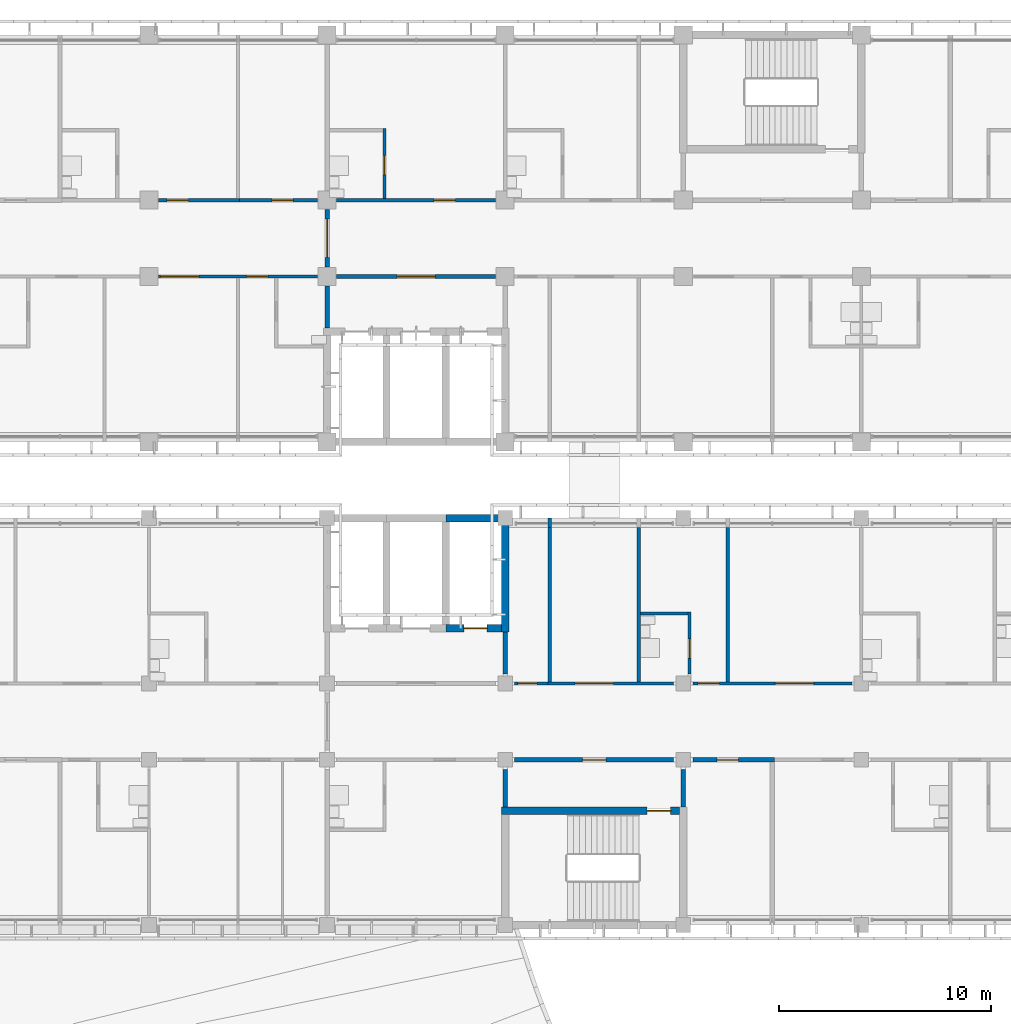
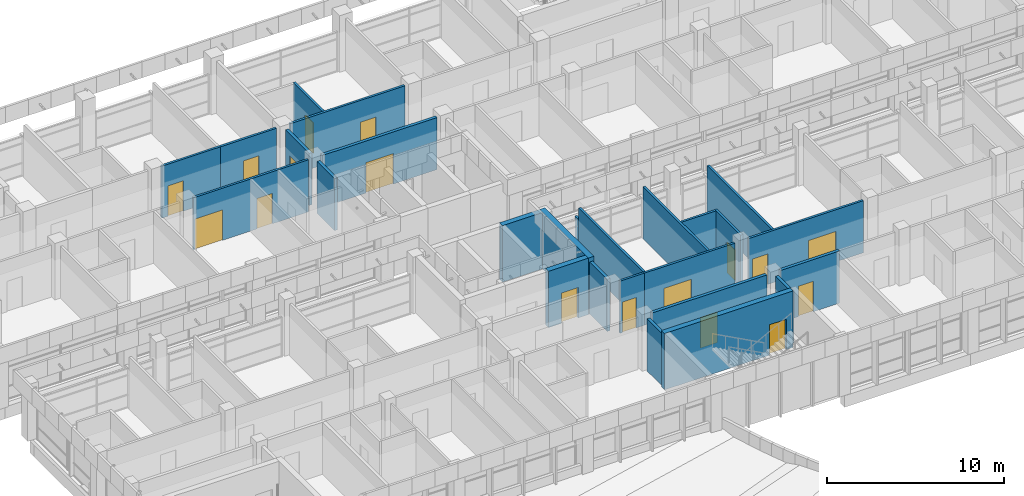
# One storey, part 32 of 74: 26 walls, 17 doors, 17 openings.
"""IFC4 building model written with IfcOpenShell, lengths in metres."""

from ifc_helpers import new_model, si_unit, direction, frame, frame_2d, origin, place, context, subcontext, project, spatial, rectangle, extrude, material, layer, layer_set, type_object, element, fill, save


model = new_model("IFC4")

# Units and contexts
model_context = context("Model", 3, precision=1e-05, world=origin(), true_north=direction((0.0, 1.0)))
body_context = subcontext(model_context, "Body", "Model", "MODEL_VIEW")
ifc_project = project(units=[si_unit("LENGTHUNIT", "METRE"), si_unit("AREAUNIT", "SQUARE_METRE"), si_unit("VOLUMEUNIT", "CUBIC_METRE"), si_unit("PLANEANGLEUNIT", "RADIAN"), si_unit("MASSUNIT", "GRAM", prefix="KILO")], contexts=[model_context])

# Site, building, storey
site_placement = place(None, origin())
site = spatial("IfcSite", under=ifc_project, at=site_placement, CompositionType="ELEMENT")
building_placement = place(site_placement, origin())
building = spatial("IfcBuilding", under=site, at=building_placement, Name="Bougainvillea Quay General Hospital", CompositionType="ELEMENT")
storey_placement = place(building_placement, frame((0.0, 0.0, 21.0)))
storey = spatial("IfcBuildingStorey", under=building, at=storey_placement, Name="L04", CompositionType="ELEMENT", Elevation=21.0)

# Wall
ifc_material_1 = material(Name="Gypsum board partition on steel studs, insulated", Category="steel")
ifc_layer_1 = layer(ifc_material_1, 0.14990234375)
ifc_layer_set_1 = layer_set([ifc_layer_1], Name="Gypsum board partition on steel studs, insulated")
wall_type_1 = type_object("IfcWallType", Name="Partition 150 Gypsum board partition", PredefinedType="PARTITIONING", material=ifc_layer_set_1)
wall_1_placement = place(storey_placement, frame((86.10009765625, 129.074951171875, 0.0), z_axis=(0.0, 0.0, 1.0), x_axis=(0.0, 1.0, 0.0)))
element("IfcWall", 1, at=wall_1_placement, inside=storey, type_object=wall_type_1, Name="Partition 150 mm", PredefinedType="PARTITIONING", context=body_context, shape_type="SweptSolid", body=[
    extrude(rectangle(XDim=7.275146484375, YDim=0.14990234375, at=frame_2d((3.6376953125, 0.0))), origin(), (0.0, 0.0, 1.0), 3.60009765625),
])

# Wall, opening, door
wall_2_placement = place(storey_placement, frame((84.300048828125, 129.449951171875, 0.0), z_axis=(0.0, 0.0, 1.0), x_axis=(0.0, 1.0, 0.0)))
wall_2 = element("IfcWall", 2, at=wall_2_placement, inside=storey, type_object=wall_type_1, Name="Partition 150 mm", PredefinedType="PARTITIONING", context=body_context, shape_type="SweptSolid", body=[
    extrude(rectangle(XDim=2.925048828125, YDim=0.14990234375, at=frame_2d((1.46240234375, 0.0))), origin(), (0.0, 0.0, 1.0), 3.60009765625),
])
opening_1_placement = place(wall_2_placement, frame((0.75, 0.0, 0.0)))
opening_1 = element("IfcOpeningElement", 3, at=opening_1_placement, cuts=wall_2, Name="Opening L04.094", PredefinedType="OPENING", context=body_context, shape_type="SweptSolid", body=[
    extrude(rectangle(XDim=0.89990234375, YDim=2.10009765625, at=frame_2d((0.449951171875, 1.050048828125))), frame((0.0, 0.0849609375, 0.0), z_axis=(0.0, -1.0, 0.0), x_axis=(1.0, 0.0, 0.0)), (0.0, 0.0, 1.0), 0.169921875),
])
ifc_material_2 = material(Name="Solid-core timber door leaf in steel frame", Category="steel")
door_type_1 = type_object("IfcDoorType", Name="Single leaf door 900x2100", OperationType="NOTDEFINED", PredefinedType="DOOR", material=ifc_material_2)
door_1_placement = place(opening_1_placement, origin())
door_1 = element("IfcDoor", 4, at=door_1_placement, inside=storey, type_object=door_type_1, Name="DT07 L04.094", OperationType="SINGLE_SWING_LEFT", OverallHeight=2.10009765625, OverallWidth=0.89990234375, PredefinedType="DOOR", context=body_context, shape_type="SweptSolid", body=[
    extrude(rectangle(XDim=0.89990234375, YDim=2.10009765625, at=frame_2d((0.449951171875, 1.050048828125))), frame((0.0, 0.02490234375, 0.0), z_axis=(0.0, -1.0, 0.0), x_axis=(1.0, 0.0, 0.0)), (0.0, 0.0, 1.0), 0.050048828125),
])
fill(opening_1, door_1)

wall_3_placement = place(storey_placement, frame((69.89990234375, 151.875, 0.0), z_axis=(0.0, 0.0, 1.0), x_axis=(0.0, 1.0, 0.0)))
wall_3 = element("IfcWall", 5, at=wall_3_placement, inside=storey, type_object=wall_type_1, Name="Partition 150 mm", PredefinedType="PARTITIONING", context=body_context, shape_type="SweptSolid", body=[
    extrude(rectangle(XDim=3.300048828125, YDim=0.14990234375, at=frame_2d((1.64990234375, 0.0))), origin(), (0.0, 0.0, 1.0), 3.60009765625),
])
opening_2_placement = place(wall_3_placement, frame((1.125, 0.0, 0.0)))
opening_2 = element("IfcOpeningElement", 6, at=opening_2_placement, cuts=wall_3, Name="Opening L04.015", PredefinedType="OPENING", context=body_context, shape_type="SweptSolid", body=[
    extrude(rectangle(XDim=0.89990234375, YDim=2.10009765625, at=frame_2d((0.449951171875, 1.050048828125))), frame((0.0, 0.0849609375, 0.0), z_axis=(0.0, -1.0, 0.0), x_axis=(1.0, 0.0, 0.0)), (0.0, 0.0, 1.0), 0.169921875),
])
door_2_placement = place(opening_2_placement, origin())
door_2 = element("IfcDoor", 7, at=door_2_placement, inside=storey, type_object=door_type_1, Name="DT07 L04.015", OperationType="SINGLE_SWING_LEFT", OverallHeight=2.10009765625, OverallWidth=0.89990234375, PredefinedType="DOOR", context=body_context, shape_type="SweptSolid", body=[
    extrude(rectangle(XDim=0.89990234375, YDim=2.10009765625, at=frame_2d((0.449951171875, 1.050048828125))), frame((0.0, 0.02490234375, 0.0), z_axis=(0.0, -1.0, 0.0), x_axis=(1.0, 0.0, 0.0)), (0.0, 0.0, 1.0), 0.050048828125),
])
fill(opening_2, door_2)

# Wall
wall_4_placement = place(storey_placement, frame((81.97509765625, 132.300048828125, 0.0), z_axis=(0.0, 0.0, 1.0), x_axis=(1.0, 0.0, 0.0)))
element("IfcWall", 8, at=wall_4_placement, inside=storey, type_object=wall_type_1, Name="Partition 150 mm", PredefinedType="PARTITIONING", context=body_context, shape_type="SweptSolid", body=[
    extrude(rectangle(XDim=2.25, YDim=0.14990234375, at=frame_2d((1.125, 0.0))), origin(), (0.0, 0.0, 1.0), 3.60009765625),
])

# Wall, openings, doors
ifc_layer_2 = layer(ifc_material_1, 0.14990234375)
ifc_layer_set_2 = layer_set([ifc_layer_2], Name="Gypsum board partition on steel studs, insulated")
wall_type_2 = type_object("IfcWallType", Name="Partition 150 Gypsum board partition EI 30", PredefinedType="PARTITIONING", material=ifc_layer_set_2)
wall_5_placement = place(storey_placement, frame((66.75, 148.199951171875, 0.0), z_axis=(0.0, 0.0, 1.0), x_axis=(-1.0, 0.0, 0.0)))
wall_5 = element("IfcWall", 9, at=wall_5_placement, inside=storey, type_object=wall_type_2, Name="Partition 150 mm EI 30", PredefinedType="PARTITIONING", context=body_context, shape_type="SweptSolid", body=[
    extrude(rectangle(XDim=7.5, YDim=0.14990234375, at=frame_2d((3.75, 0.0))), origin(), (0.0, 0.0, 1.0), 3.60009765625),
])
opening_3_placement = place(wall_5_placement, frame((5.60009765625, 0.0, 0.0)))
opening_3 = element("IfcOpeningElement", 10, at=opening_3_placement, cuts=wall_5, Name="Opening L04.008", PredefinedType="OPENING", context=body_context, shape_type="SweptSolid", body=[
    extrude(rectangle(XDim=1.800048828125, YDim=2.10009765625, at=frame_2d((0.89990234375, 1.050048828125))), frame((0.0, 0.0849609375, 0.0), z_axis=(0.0, -1.0, 0.0), x_axis=(1.0, 0.0, 0.0)), (0.0, 0.0, 1.0), 0.169921875),
])
opening_4_placement = place(wall_5_placement, frame((2.35009765625, 0.0, 0.0)))
opening_4 = element("IfcOpeningElement", 11, at=opening_4_placement, cuts=wall_5, Name="Opening L04.009", PredefinedType="OPENING", context=body_context, shape_type="SweptSolid", body=[
    extrude(rectangle(XDim=1.0, YDim=2.10009765625, at=frame_2d((0.5, 1.050048828125))), frame((0.0, 0.0849609375, 0.0), z_axis=(0.0, -1.0, 0.0), x_axis=(1.0, 0.0, 0.0)), (0.0, 0.0, 1.0), 0.169921875),
])
ifc_material_3 = material(Name="Solid-core timber door leaves in steel frame", Category="steel")
door_type_2 = type_object("IfcDoorType", Name="Double leaf door 1800x2100 FD30S", OperationType="DOUBLE_DOOR_SINGLE_SWING", PredefinedType="DOOR", material=ifc_material_3)
door_3_placement = place(opening_3_placement, origin())
door_3 = element("IfcDoor", 12, at=door_3_placement, inside=storey, type_object=door_type_2, Name="DT17 L04.008", OperationType="DOUBLE_DOOR_SINGLE_SWING", OverallHeight=2.10009765625, OverallWidth=1.800048828125, PredefinedType="DOOR", context=body_context, shape_type="SweptSolid", body=[
    extrude(rectangle(XDim=1.800048828125, YDim=2.10009765625, at=frame_2d((0.89990234375, 1.050048828125))), frame((0.0, 0.02490234375, 0.0), z_axis=(0.0, -1.0, 0.0), x_axis=(1.0, 0.0, 0.0)), (0.0, 0.0, 1.0), 0.050048828125),
])
fill(opening_3, door_3)
door_type_3 = type_object("IfcDoorType", Name="Single leaf door 1000x2100 FD30S", OperationType="NOTDEFINED", PredefinedType="DOOR", material=ifc_material_2)
door_4_placement = place(opening_4_placement, origin())
door_4 = element("IfcDoor", 13, at=door_4_placement, inside=storey, type_object=door_type_3, Name="DT15 L04.009", OperationType="SINGLE_SWING_LEFT", OverallHeight=2.10009765625, OverallWidth=1.0, PredefinedType="DOOR", context=body_context, shape_type="SweptSolid", body=[
    extrude(rectangle(XDim=1.0, YDim=2.10009765625, at=frame_2d((0.5, 1.050048828125))), frame((0.0, 0.02490234375, 0.0), z_axis=(0.0, -1.0, 0.0), x_axis=(1.0, 0.0, 0.0)), (0.0, 0.0, 1.0), 0.050048828125),
])
fill(opening_4, door_4)

wall_6_placement = place(storey_placement, frame((91.949951171875, 129.0, 0.0), z_axis=(0.0, 0.0, 1.0), x_axis=(-1.0, 0.0, 0.0)))
wall_6 = element("IfcWall", 14, at=wall_6_placement, inside=storey, type_object=wall_type_2, Name="Partition 150 mm EI 30", PredefinedType="PARTITIONING", context=body_context, shape_type="SweptSolid", body=[
    extrude(rectangle(XDim=7.5, YDim=0.14990234375, at=frame_2d((3.75, 0.0))), origin(), (0.0, 0.0, 1.0), 3.60009765625),
])
opening_5_placement = place(wall_6_placement, frame((6.25, 0.0, 0.0)))
opening_5 = element("IfcOpeningElement", 15, at=opening_5_placement, cuts=wall_6, Name="Opening L04.093", PredefinedType="OPENING", context=body_context, shape_type="SweptSolid", body=[
    extrude(rectangle(XDim=1.0, YDim=2.10009765625, at=frame_2d((0.5, 1.050048828125))), frame((0.0, 0.0849609375, 0.0), z_axis=(0.0, -1.0, 0.0), x_axis=(1.0, 0.0, 0.0)), (0.0, 0.0, 1.0), 0.169921875),
])
opening_6_placement = place(wall_6_placement, frame((1.800048828125, 0.0, 0.0)))
opening_6 = element("IfcOpeningElement", 16, at=opening_6_placement, cuts=wall_6, Name="Opening L04.095", PredefinedType="OPENING", context=body_context, shape_type="SweptSolid", body=[
    extrude(rectangle(XDim=1.800048828125, YDim=2.10009765625, at=frame_2d((0.89990234375, 1.050048828125))), frame((0.0, 0.0849609375, 0.0), z_axis=(0.0, -1.0, 0.0), x_axis=(1.0, 0.0, 0.0)), (0.0, 0.0, 1.0), 0.169921875),
])
door_5_placement = place(opening_6_placement, frame((1.800048828125, 0.0, 0.0), z_axis=(0.0, 0.0, 1.0), x_axis=(-1.0, 0.0, 0.0)))
door_5 = element("IfcDoor", 17, at=door_5_placement, inside=storey, type_object=door_type_2, Name="DT17 L04.095", OperationType="DOUBLE_DOOR_SINGLE_SWING", OverallHeight=2.10009765625, OverallWidth=1.800048828125, PredefinedType="DOOR", context=body_context, shape_type="SweptSolid", body=[
    extrude(rectangle(XDim=1.800048828125, YDim=2.10009765625, at=frame_2d((0.89990234375, 1.050048828125))), frame((0.0, 0.02490234375, 0.0), z_axis=(0.0, -1.0, 0.0), x_axis=(1.0, 0.0, 0.0)), (0.0, 0.0, 1.0), 0.050048828125),
])
fill(opening_6, door_5)
door_6_placement = place(opening_5_placement, frame((1.0, 0.0, 0.0), z_axis=(0.0, 0.0, 1.0), x_axis=(-1.0, 0.0, 0.0)))
door_6 = element("IfcDoor", 18, at=door_6_placement, inside=storey, type_object=door_type_3, Name="DT15 L04.093", OperationType="SINGLE_SWING_LEFT", OverallHeight=2.10009765625, OverallWidth=1.0, PredefinedType="DOOR", context=body_context, shape_type="SweptSolid", body=[
    extrude(rectangle(XDim=1.0, YDim=2.10009765625, at=frame_2d((0.5, 1.050048828125))), frame((0.0, 0.02490234375, 0.0), z_axis=(0.0, -1.0, 0.0), x_axis=(1.0, 0.0, 0.0)), (0.0, 0.0, 1.0), 0.050048828125),
])
fill(opening_5, door_6)

# Wall, opening, door
wall_7_placement = place(storey_placement, frame((83.550048828125, 129.0, 0.0), z_axis=(0.0, 0.0, 1.0), x_axis=(-1.0, 0.0, 0.0)))
wall_7 = element("IfcWall", 19, at=wall_7_placement, inside=storey, type_object=wall_type_2, Name="Partition 150 mm EI 30", PredefinedType="PARTITIONING", context=body_context, shape_type="SweptSolid", body=[
    extrude(rectangle(XDim=5.925048828125, YDim=0.14990234375, at=frame_2d((2.96240234375, 0.0))), origin(), (0.0, 0.0, 1.0), 3.60009765625),
])
opening_7_placement = place(wall_7_placement, frame((2.85009765625, 0.0, 0.0)))
opening_7 = element("IfcOpeningElement", 20, at=opening_7_placement, cuts=wall_7, Name="Opening L04.134", PredefinedType="OPENING", context=body_context, shape_type="SweptSolid", body=[
    extrude(rectangle(XDim=1.800048828125, YDim=2.10009765625, at=frame_2d((0.89990234375, 1.050048828125))), frame((0.0, 0.0849609375, 0.0), z_axis=(0.0, -1.0, 0.0), x_axis=(1.0, 0.0, 0.0)), (0.0, 0.0, 1.0), 0.169921875),
])
door_7_placement = place(opening_7_placement, frame((1.800048828125, 0.0, 0.0), z_axis=(0.0, 0.0, 1.0), x_axis=(-1.0, 0.0, 0.0)))
door_7 = element("IfcDoor", 21, at=door_7_placement, inside=storey, type_object=door_type_2, Name="DT17 L04.134", OperationType="DOUBLE_DOOR_SINGLE_SWING", OverallHeight=2.10009765625, OverallWidth=1.800048828125, PredefinedType="DOOR", context=body_context, shape_type="SweptSolid", body=[
    extrude(rectangle(XDim=1.800048828125, YDim=2.10009765625, at=frame_2d((0.89990234375, 1.050048828125))), frame((0.0, 0.02490234375, 0.0), z_axis=(0.0, -1.0, 0.0), x_axis=(1.0, 0.0, 0.0)), (0.0, 0.0, 1.0), 0.050048828125),
])
fill(opening_7, door_7)

wall_8_placement = place(storey_placement, frame((75.14990234375, 151.800048828125, 0.0), z_axis=(0.0, 0.0, 1.0), x_axis=(-1.0, 0.0, 0.0)))
wall_8 = element("IfcWall", 22, at=wall_8_placement, inside=storey, type_object=wall_type_2, Name="Partition 150 mm EI 30", PredefinedType="PARTITIONING", context=body_context, shape_type="SweptSolid", body=[
    extrude(rectangle(XDim=7.5, YDim=0.14990234375, at=frame_2d((3.75, 0.0))), origin(), (0.0, 0.0, 1.0), 3.60009765625),
])
opening_8_placement = place(wall_8_placement, frame((1.89990234375, 0.0, 0.0)))
opening_8 = element("IfcOpeningElement", 23, at=opening_8_placement, cuts=wall_8, Name="Opening L04.014", PredefinedType="OPENING", context=body_context, shape_type="SweptSolid", body=[
    extrude(rectangle(XDim=1.0, YDim=2.10009765625, at=frame_2d((0.5, 1.050048828125))), frame((0.0, 0.0849609375, 0.0), z_axis=(0.0, -1.0, 0.0), x_axis=(1.0, 0.0, 0.0)), (0.0, 0.0, 1.0), 0.169921875),
])
door_8_placement = place(opening_8_placement, frame((1.0, 0.0, 0.0), z_axis=(0.0, 0.0, 1.0), x_axis=(-1.0, 0.0, 0.0)))
door_8 = element("IfcDoor", 24, at=door_8_placement, inside=storey, type_object=door_type_3, Name="DT15 L04.014", OperationType="SINGLE_SWING_RIGHT", OverallHeight=2.10009765625, OverallWidth=1.0, PredefinedType="DOOR", context=body_context, shape_type="SweptSolid", body=[
    extrude(rectangle(XDim=1.0, YDim=2.10009765625, at=frame_2d((0.5, 1.050048828125))), frame((0.0, 0.02490234375, 0.0), z_axis=(0.0, -1.0, 0.0), x_axis=(1.0, 0.0, 0.0)), (0.0, 0.0, 1.0), 0.050048828125),
])
fill(opening_8, door_8)

wall_9_placement = place(storey_placement, frame((59.25, 151.800048828125, 0.0), z_axis=(0.0, 0.0, 1.0), x_axis=(1.0, 0.0, 0.0)))
wall_9 = element("IfcWall", 25, at=wall_9_placement, inside=storey, type_object=wall_type_2, Name="Partition 150 mm EI 30", PredefinedType="PARTITIONING", context=body_context, shape_type="SweptSolid", body=[
    extrude(rectangle(XDim=3.824951171875, YDim=0.14990234375, at=frame_2d((1.91259765625, 0.0))), origin(), (0.0, 0.0, 1.0), 3.60009765625),
])
opening_9_placement = place(wall_9_placement, frame((0.39990234375, 0.0, 0.0)))
opening_9 = element("IfcOpeningElement", 26, at=opening_9_placement, cuts=wall_9, Name="Opening L04.011", PredefinedType="OPENING", context=body_context, shape_type="SweptSolid", body=[
    extrude(rectangle(XDim=1.0, YDim=2.10009765625, at=frame_2d((0.5, 1.050048828125))), frame((0.0, 0.0849609375, 0.0), z_axis=(0.0, -1.0, 0.0), x_axis=(1.0, 0.0, 0.0)), (0.0, 0.0, 1.0), 0.169921875),
])
door_9_placement = place(opening_9_placement, origin())
door_9 = element("IfcDoor", 27, at=door_9_placement, inside=storey, type_object=door_type_3, Name="DT15 L04.011", OperationType="SINGLE_SWING_LEFT", OverallHeight=2.10009765625, OverallWidth=1.0, PredefinedType="DOOR", context=body_context, shape_type="SweptSolid", body=[
    extrude(rectangle(XDim=1.0, YDim=2.10009765625, at=frame_2d((0.5, 1.050048828125))), frame((0.0, 0.02490234375, 0.0), z_axis=(0.0, -1.0, 0.0), x_axis=(1.0, 0.0, 0.0)), (0.0, 0.0, 1.0), 0.050048828125),
])
fill(opening_9, door_9)

# Walls
wall_10_placement = place(storey_placement, frame((77.699951171875, 129.074951171875, 0.0), z_axis=(0.0, 0.0, 1.0), x_axis=(0.0, 1.0, 0.0)))
element("IfcWall", 28, at=wall_10_placement, inside=storey, type_object=wall_type_2, Name="Partition 150 mm EI 30", PredefinedType="PARTITIONING", context=body_context, shape_type="SweptSolid", body=[
    extrude(rectangle(XDim=7.275146484375, YDim=0.14990234375, at=frame_2d((3.6376953125, 0.0))), origin(), (0.0, 0.0, 1.0), 3.60009765625),
])
wall_11_placement = place(storey_placement, frame((77.699951171875, 136.35009765625, 0.0), z_axis=(0.0, 0.0, 1.0), x_axis=(0.0, 1.0, 0.0)))
element("IfcWall", 29, at=wall_11_placement, inside=storey, type_object=wall_type_2, Name="Partition 150 mm EI 30", PredefinedType="PARTITIONING", context=body_context, shape_type="SweptSolid", body=[
    extrude(rectangle(XDim=0.449951171875, YDim=0.14990234375, at=frame_2d((0.22509765625, 0.0))), origin(), (0.0, 0.0, 1.0), 2.780029296875),
])
wall_12_placement = place(storey_placement, frame((81.89990234375, 129.074951171875, 0.0), z_axis=(0.0, 0.0, 1.0), x_axis=(0.0, 1.0, 0.0)))
element("IfcWall", 30, at=wall_12_placement, inside=storey, type_object=wall_type_2, Name="Partition 150 mm EI 30", PredefinedType="PARTITIONING", context=body_context, shape_type="SweptSolid", body=[
    extrude(rectangle(XDim=7.275146484375, YDim=0.14990234375, at=frame_2d((3.6376953125, 0.0))), origin(), (0.0, 0.0, 1.0), 3.60009765625),
])

# Wall, opening, door
ifc_layer_3 = layer(ifc_material_1, 0.14990234375)
ifc_layer_set_3 = layer_set([ifc_layer_3], Name="Gypsum board partition on steel studs, insulated")
wall_type_3 = type_object("IfcWallType", Name="Partition 150 Gypsum board partition EI 60", PredefinedType="PARTITIONING", material=ifc_layer_set_3)
wall_13_placement = place(storey_placement, frame((63.074951171875, 151.800048828125, 0.0), z_axis=(0.0, 0.0, 1.0), x_axis=(1.0, 0.0, 0.0)))
wall_13 = element("IfcWall", 31, at=wall_13_placement, inside=storey, type_object=wall_type_3, Name="Partition 150 mm EI 60", PredefinedType="PARTITIONING", context=body_context, shape_type="SweptSolid", body=[
    extrude(rectangle(XDim=3.675048828125, YDim=0.14990234375, at=frame_2d((1.83740234375, 0.0))), origin(), (0.0, 0.0, 1.0), 3.60009765625),
])
opening_10_placement = place(wall_13_placement, frame((1.52490234375, 0.0, 0.0)))
opening_10 = element("IfcOpeningElement", 32, at=opening_10_placement, cuts=wall_13, Name="Opening L04.013", PredefinedType="OPENING", context=body_context, shape_type="SweptSolid", body=[
    extrude(rectangle(XDim=1.0, YDim=2.10009765625, at=frame_2d((0.5, 1.050048828125))), frame((0.0, 0.0849609375, 0.0), z_axis=(0.0, -1.0, 0.0), x_axis=(1.0, 0.0, 0.0)), (0.0, 0.0, 1.0), 0.169921875),
])
door_type_4 = type_object("IfcDoorType", Name="Single leaf door 1000x2100 FD60", OperationType="NOTDEFINED", PredefinedType="DOOR", material=ifc_material_2)
door_10_placement = place(opening_10_placement, origin())
door_10 = element("IfcDoor", 33, at=door_10_placement, inside=storey, type_object=door_type_4, Name="DT14 L04.013", OperationType="SINGLE_SWING_RIGHT", OverallHeight=2.10009765625, OverallWidth=1.0, PredefinedType="DOOR", context=body_context, shape_type="SweptSolid", body=[
    extrude(rectangle(XDim=1.0, YDim=2.10009765625, at=frame_2d((0.5, 1.050048828125))), frame((0.0, 0.02490234375, 0.0), z_axis=(0.0, -1.0, 0.0), x_axis=(1.0, 0.0, 0.0)), (0.0, 0.0, 1.0), 0.050048828125),
])
fill(opening_10, door_10)

wall_14_placement = place(storey_placement, frame((76.050048828125, 129.0, 0.0), z_axis=(0.0, 0.0, 1.0), x_axis=(1.0, 0.0, 0.0)))
wall_14 = element("IfcWall", 34, at=wall_14_placement, inside=storey, type_object=wall_type_3, Name="Partition 150 mm EI 60", PredefinedType="PARTITIONING", context=body_context, shape_type="SweptSolid", body=[
    extrude(rectangle(XDim=1.574951171875, YDim=0.14990234375, at=frame_2d((0.78759765625, 0.0))), origin(), (0.0, 0.0, 1.0), 3.60009765625),
])
opening_11_placement = place(wall_14_placement, frame((0.14990234375, 0.0, 0.0)))
opening_11 = element("IfcOpeningElement", 35, at=opening_11_placement, cuts=wall_14, Name="Opening L04.092", PredefinedType="OPENING", context=body_context, shape_type="SweptSolid", body=[
    extrude(rectangle(XDim=0.89990234375, YDim=2.10009765625, at=frame_2d((0.449951171875, 1.050048828125))), frame((0.0, 0.0849609375, 0.0), z_axis=(0.0, -1.0, 0.0), x_axis=(1.0, 0.0, 0.0)), (0.0, 0.0, 1.0), 0.169921875),
])
door_type_5 = type_object("IfcDoorType", Name="Single leaf door 900x2100 FD60", OperationType="NOTDEFINED", PredefinedType="DOOR", material=ifc_material_2)
door_11_placement = place(opening_11_placement, origin())
door_11 = element("IfcDoor", 36, at=door_11_placement, inside=storey, type_object=door_type_5, Name="DT18 L04.092", OperationType="SINGLE_SWING_LEFT", OverallHeight=2.10009765625, OverallWidth=0.89990234375, PredefinedType="DOOR", context=body_context, shape_type="SweptSolid", body=[
    extrude(rectangle(XDim=0.89990234375, YDim=2.10009765625, at=frame_2d((0.449951171875, 1.050048828125))), frame((0.0, 0.02490234375, 0.0), z_axis=(0.0, -1.0, 0.0), x_axis=(1.0, 0.0, 0.0)), (0.0, 0.0, 1.0), 0.050048828125),
])
fill(opening_11, door_11)

ifc_material_4 = material(Name="Fire-rated autoclaved aerated block wall, plastered")
ifc_layer_4 = layer(ifc_material_4, 0.199951171875)
ifc_layer_set_4 = layer_set([ifc_layer_4], Name="Fire-rated autoclaved aerated block wall, plastered")
wall_type_4 = type_object("IfcWallType", Name="Partition 200 Fire-rated autoclaved aerated block wall EI 120", PredefinedType="SOLIDWALL", material=ifc_layer_set_4)
wall_15_placement = place(storey_placement, frame((67.199951171875, 151.35009765625, 0.0), z_axis=(0.0, 0.0, 1.0), x_axis=(0.0, -1.0, 0.0)))
wall_15 = element("IfcWall", 37, at=wall_15_placement, inside=storey, type_object=wall_type_4, Name="Partition 200 mm EI 120", PredefinedType="SOLIDWALL", context=body_context, shape_type="SweptSolid", body=[
    extrude(rectangle(XDim=2.7001953125, YDim=0.199951171875, at=frame_2d((1.35009765625, 0.0))), origin(), (0.0, 0.0, 1.0), 3.60009765625),
])
opening_12_placement = place(wall_15_placement, frame((0.449951171875, 0.0, 0.0)))
opening_12 = element("IfcOpeningElement", 38, at=opening_12_placement, cuts=wall_15, Name="Opening L04.001", PredefinedType="OPENING", context=body_context, shape_type="SweptSolid", body=[
    extrude(rectangle(XDim=1.800048828125, YDim=2.10009765625, at=frame_2d((0.89990234375, 1.050048828125))), frame((0.0, 0.10986328125, 0.0), z_axis=(0.0, -1.0, 0.0), x_axis=(1.0, 0.0, 0.0)), (0.0, 0.0, 1.0), 0.219970703125),
])
ifc_material_5 = material(Name="Steel fire door leaves in steel frame", Category="steel")
door_type_6 = type_object("IfcDoorType", Name="Steel double leaf door 1800x2100 FD90", OperationType="DOUBLE_DOOR_SINGLE_SWING", PredefinedType="DOOR", material=ifc_material_5)
door_12_placement = place(opening_12_placement, origin())
door_12 = element("IfcDoor", 39, at=door_12_placement, inside=storey, type_object=door_type_6, Name="DT03 L04.001", OperationType="DOUBLE_DOOR_SINGLE_SWING", OverallHeight=2.10009765625, OverallWidth=1.800048828125, PredefinedType="DOOR", context=body_context, shape_type="SweptSolid", body=[
    extrude(rectangle(XDim=1.800048828125, YDim=2.10009765625, at=frame_2d((0.89990234375, 1.050048828125))), frame((0.0, 0.02490234375, 0.0), z_axis=(0.0, -1.0, 0.0), x_axis=(1.0, 0.0, 0.0)), (0.0, 0.0, 1.0), 0.050048828125),
])
fill(opening_12, door_12)

# Wall
wall_16_placement = place(storey_placement, frame((67.199951171875, 147.75, 0.0), z_axis=(0.0, 0.0, 1.0), x_axis=(0.0, -1.0, 0.0)))
element("IfcWall", 40, at=wall_16_placement, inside=storey, type_object=wall_type_4, Name="Partition 200 mm EI 120", PredefinedType="SOLIDWALL", context=body_context, shape_type="SweptSolid", body=[
    extrude(rectangle(XDim=1.97509765625, YDim=0.199951171875, at=frame_2d((0.987548828125, 0.0))), origin(), (0.0, 0.0, 1.0), 3.60009765625),
])

# Wall, opening, door
wall_17_placement = place(storey_placement, frame((76.050048828125, 125.39990234375, 0.0), z_axis=(0.0, 0.0, 1.0), x_axis=(1.0, 0.0, 0.0)))
wall_17 = element("IfcWall", 41, at=wall_17_placement, inside=storey, type_object=wall_type_4, Name="Partition 200 mm EI 120", PredefinedType="SOLIDWALL", context=body_context, shape_type="SweptSolid", body=[
    extrude(rectangle(XDim=7.5, YDim=0.199951171875, at=frame_2d((3.75, 0.0))), origin(), (0.0, 0.0, 1.0), 3.60009765625),
])
opening_13_placement = place(wall_17_placement, frame((3.199951171875, 0.0, 0.0)))
opening_13 = element("IfcOpeningElement", 42, at=opening_13_placement, cuts=wall_17, Name="Opening L04.152", PredefinedType="OPENING", context=body_context, shape_type="SweptSolid", body=[
    extrude(rectangle(XDim=1.10009765625, YDim=2.10009765625, at=frame_2d((0.550048828125, 1.050048828125))), frame((0.0, 0.10986328125, 0.0), z_axis=(0.0, -1.0, 0.0), x_axis=(1.0, 0.0, 0.0)), (0.0, 0.0, 1.0), 0.219970703125),
])
ifc_material_6 = material(Name="Steel fire door leaf in steel frame", Category="steel")
door_type_7 = type_object("IfcDoorType", Name="Steel single leaf door 1100x2100 FD60", OperationType="NOTDEFINED", PredefinedType="DOOR", material=ifc_material_6)
door_13_placement = place(opening_13_placement, frame((1.10009765625, 0.0, 0.0), z_axis=(0.0, 0.0, 1.0), x_axis=(-1.0, 0.0, 0.0)))
door_13 = element("IfcDoor", 43, at=door_13_placement, inside=storey, type_object=door_type_7, Name="DT04 L04.152", OperationType="SINGLE_SWING_LEFT", OverallHeight=2.10009765625, OverallWidth=1.10009765625, PredefinedType="DOOR", context=body_context, shape_type="SweptSolid", body=[
    extrude(rectangle(XDim=1.10009765625, YDim=2.10009765625, at=frame_2d((0.550048828125, 1.050048828125))), frame((0.0, 0.02490234375, 0.0), z_axis=(0.0, -1.0, 0.0), x_axis=(1.0, 0.0, 0.0)), (0.0, 0.0, 1.0), 0.050048828125),
])
fill(opening_13, door_13)

wall_18_placement = place(storey_placement, frame((84.449951171875, 125.39990234375, 0.0), z_axis=(0.0, 0.0, 1.0), x_axis=(1.0, 0.0, 0.0)))
wall_18 = element("IfcWall", 44, at=wall_18_placement, inside=storey, type_object=wall_type_4, Name="Partition 200 mm EI 120", PredefinedType="SOLIDWALL", context=body_context, shape_type="SweptSolid", body=[
    extrude(rectangle(XDim=3.85009765625, YDim=0.199951171875, at=frame_2d((1.925048828125, 0.0))), origin(), (0.0, 0.0, 1.0), 3.60009765625),
])
opening_14_placement = place(wall_18_placement, frame((1.14990234375, 0.0, 0.0)))
opening_14 = element("IfcOpeningElement", 45, at=opening_14_placement, cuts=wall_18, Name="Opening L04.136", PredefinedType="OPENING", context=body_context, shape_type="SweptSolid", body=[
    extrude(rectangle(XDim=1.0, YDim=2.10009765625, at=frame_2d((0.5, 1.050048828125))), frame((0.0, 0.10986328125, 0.0), z_axis=(0.0, -1.0, 0.0), x_axis=(1.0, 0.0, 0.0)), (0.0, 0.0, 1.0), 0.219970703125),
])
door_type_8 = type_object("IfcDoorType", Name="Steel single leaf door 1000x2100 FD90", OperationType="NOTDEFINED", PredefinedType="DOOR", material=ifc_material_6)
door_14_placement = place(opening_14_placement, frame((1.0, 0.0, 0.0), z_axis=(0.0, 0.0, 1.0), x_axis=(-1.0, 0.0, 0.0)))
door_14 = element("IfcDoor", 46, at=door_14_placement, inside=storey, type_object=door_type_8, Name="DT11 L04.136", OperationType="SINGLE_SWING_RIGHT", OverallHeight=2.10009765625, OverallWidth=1.0, PredefinedType="DOOR", context=body_context, shape_type="SweptSolid", body=[
    extrude(rectangle(XDim=1.0, YDim=2.10009765625, at=frame_2d((0.5, 1.050048828125))), frame((0.0, 0.02490234375, 0.0), z_axis=(0.0, -1.0, 0.0), x_axis=(1.0, 0.0, 0.0)), (0.0, 0.0, 1.0), 0.050048828125),
])
fill(opening_14, door_14)

# Wall
wall_19_placement = place(storey_placement, frame((84.0, 123.175048828125, 0.0), z_axis=(0.0, 0.0, 1.0), x_axis=(0.0, 1.0, 0.0)))
element("IfcWall", 47, at=wall_19_placement, inside=storey, type_object=wall_type_4, Name="Partition 200 mm EI 120", PredefinedType="SOLIDWALL", context=body_context, shape_type="SweptSolid", body=[
    extrude(rectangle(XDim=1.77490234375, YDim=0.199951171875, at=frame_2d((0.887451171875, 0.0))), origin(), (0.0, 0.0, 1.0), 3.60009765625),
])

# Wall, opening, door
wall_20_placement = place(storey_placement, frame((67.64990234375, 148.199951171875, 0.0), z_axis=(0.0, 0.0, 1.0), x_axis=(1.0, 0.0, 0.0)))
wall_20 = element("IfcWall", 48, at=wall_20_placement, inside=storey, type_object=wall_type_4, Name="Partition 200 mm EI 120", PredefinedType="SOLIDWALL", context=body_context, shape_type="SweptSolid", body=[
    extrude(rectangle(XDim=7.5, YDim=0.199951171875, at=frame_2d((3.75, 0.0))), origin(), (0.0, 0.0, 1.0), 3.60009765625),
])
opening_15_placement = place(wall_20_placement, frame((2.85009765625, 0.0, 0.0)))
opening_15 = element("IfcOpeningElement", 49, at=opening_15_placement, cuts=wall_20, Name="Opening L04.073", PredefinedType="OPENING", context=body_context, shape_type="SweptSolid", body=[
    extrude(rectangle(XDim=1.800048828125, YDim=2.10009765625, at=frame_2d((0.89990234375, 1.050048828125))), frame((0.0, 0.10986328125, 0.0), z_axis=(0.0, -1.0, 0.0), x_axis=(1.0, 0.0, 0.0)), (0.0, 0.0, 1.0), 0.219970703125),
])
door_type_9 = type_object("IfcDoorType", Name="Steel double leaf door 1800x2100 FD60", OperationType="DOUBLE_DOOR_SINGLE_SWING", PredefinedType="DOOR", material=ifc_material_5)
door_15_placement = place(opening_15_placement, frame((1.800048828125, 0.0, 0.0), z_axis=(0.0, 0.0, 1.0), x_axis=(-1.0, 0.0, 0.0)))
door_15 = element("IfcDoor", 50, at=door_15_placement, inside=storey, type_object=door_type_9, Name="DT05 L04.073", OperationType="DOUBLE_DOOR_SINGLE_SWING", OverallHeight=2.10009765625, OverallWidth=1.800048828125, PredefinedType="DOOR", context=body_context, shape_type="SweptSolid", body=[
    extrude(rectangle(XDim=1.800048828125, YDim=2.10009765625, at=frame_2d((0.89990234375, 1.050048828125))), frame((0.0, 0.02490234375, 0.0), z_axis=(0.0, -1.0, 0.0), x_axis=(1.0, 0.0, 0.0)), (0.0, 0.0, 1.0), 0.050048828125),
])
fill(opening_15, door_15)

# Walls
wall_21_placement = place(storey_placement, frame((75.60009765625, 129.449951171875, 0.0), z_axis=(0.0, 0.0, 1.0), x_axis=(0.0, 1.0, 0.0)))
element("IfcWall", 51, at=wall_21_placement, inside=storey, type_object=wall_type_4, Name="Partition 200 mm EI 120", PredefinedType="SOLIDWALL", context=body_context, shape_type="SweptSolid", body=[
    extrude(rectangle(XDim=1.97509765625, YDim=0.199951171875, at=frame_2d((0.987548828125, 0.0))), origin(), (0.0, 0.0, 1.0), 3.60009765625),
])
wall_22_placement = place(storey_placement, frame((75.60009765625, 123.175048828125, 0.0), z_axis=(0.0, 0.0, 1.0), x_axis=(0.0, 1.0, 0.0)))
element("IfcWall", 52, at=wall_22_placement, inside=storey, type_object=wall_type_4, Name="Partition 200 mm EI 120", PredefinedType="SOLIDWALL", context=body_context, shape_type="SweptSolid", body=[
    extrude(rectangle(XDim=1.77490234375, YDim=0.199951171875, at=frame_2d((0.887451171875, 0.0))), origin(), (0.0, 0.0, 1.0), 3.60009765625),
])

# Wall, opening, door
ifc_material_7 = material(Name="Concrete C40", Category="concrete")
ifc_layer_5 = layer(ifc_material_7, 0.35009765625)
ifc_layer_set_5 = layer_set([ifc_layer_5], Name="Concrete C40")
wall_type_5 = type_object("IfcWallType", Name="RC SHEAR WALL 350 C40", PredefinedType="SHEAR", material=ifc_layer_set_5)
wall_23_placement = place(storey_placement, frame((72.800048828125, 131.60009765625, 0.0), z_axis=(0.0, 0.0, 1.0), x_axis=(1.0, 0.0, 0.0)))
wall_23 = element("IfcWall", 53, at=wall_23_placement, inside=storey, type_object=wall_type_5, Name="Shear wall L04", PredefinedType="SHEAR", context=body_context, shape_type="SweptSolid", body=[
    extrude(rectangle(XDim=2.625, YDim=0.35009765625, at=frame_2d((1.3125, 0.0))), origin(), (0.0, 0.0, 1.0), 3.89990234375),
])
opening_16_placement = place(wall_23_placement, frame((0.85009765625, 0.0, 0.0)))
opening_16 = element("IfcOpeningElement", 54, at=opening_16_placement, cuts=wall_23, Name="Opening LD-B1.3-L04", PredefinedType="OPENING", context=body_context, shape_type="SweptSolid", body=[
    extrude(rectangle(XDim=1.10009765625, YDim=2.10009765625, at=frame_2d((0.550048828125, 1.050048828125))), frame((0.0, 0.18505859375, 0.0), z_axis=(0.0, -1.0, 0.0), x_axis=(1.0, 0.0, 0.0)), (0.0, 0.0, 1.0), 0.3701171875),
])
ifc_material_8 = material(Name="Stainless steel centre-opening landing door", Category="steel")
door_type_10 = type_object("IfcDoorType", Name="Lift landing door 1100x2100 E 120", OperationType="DOUBLE_DOOR_SLIDING", PredefinedType="DOOR", material=ifc_material_8)
door_16_placement = place(opening_16_placement, origin())
door_16 = element("IfcDoor", 55, at=door_16_placement, inside=storey, type_object=door_type_10, Name="Lift landing door LB-B1-3 L04", OperationType="DOUBLE_DOOR_SLIDING", OverallHeight=2.10009765625, OverallWidth=1.10009765625, PredefinedType="DOOR", context=body_context, shape_type="SweptSolid", body=[
    extrude(rectangle(XDim=1.10009765625, YDim=2.10009765625, at=frame_2d((0.550048828125, 1.050048828125))), frame((0.0, 0.02490234375, 0.0), z_axis=(0.0, -1.0, 0.0), x_axis=(1.0, 0.0, 0.0)), (0.0, 0.0, 1.0), 0.050048828125),
])
fill(opening_16, door_16)

# Wall
wall_24_placement = place(storey_placement, frame((72.800048828125, 136.800048828125, 0.0), z_axis=(0.0, 0.0, 1.0), x_axis=(1.0, 0.0, 0.0)))
element("IfcWall", 56, at=wall_24_placement, inside=storey, type_object=wall_type_5, Name="Shear wall L04", PredefinedType="SHEAR", context=body_context, shape_type="SweptSolid", body=[
    extrude(rectangle(XDim=2.625, YDim=0.35009765625, at=frame_2d((1.3125, 0.0))), origin(), (0.0, 0.0, 1.0), 3.89990234375),
])

# Wall, opening, door
wall_25_placement = place(storey_placement, frame((75.425048828125, 123.0, 0.0), z_axis=(0.0, 0.0, 1.0), x_axis=(1.0, 0.0, 0.0)))
wall_25 = element("IfcWall", 57, at=wall_25_placement, inside=storey, type_object=wall_type_5, Name="Shear wall L04", PredefinedType="SHEAR", context=body_context, shape_type="SweptSolid", body=[
    extrude(rectangle(XDim=8.39990234375, YDim=0.35009765625, at=frame_2d((4.199951171875, 0.0))), origin(), (0.0, 0.0, 1.0), 3.89990234375),
])
opening_17_placement = place(wall_25_placement, frame((6.875, 0.0, 0.0)))
opening_17 = element("IfcOpeningElement", 58, at=opening_17_placement, cuts=wall_25, Name="Opening L04.151", PredefinedType="OPENING", context=body_context, shape_type="SweptSolid", body=[
    extrude(rectangle(XDim=1.10009765625, YDim=2.10009765625, at=frame_2d((0.550048828125, 1.050048828125))), frame((0.0, 0.18505859375, 0.0), z_axis=(0.0, -1.0, 0.0), x_axis=(1.0, 0.0, 0.0)), (0.0, 0.0, 1.0), 0.3701171875),
])
door_17_placement = place(opening_17_placement, frame((1.10009765625, 0.0, 0.0), z_axis=(0.0, 0.0, 1.0), x_axis=(-1.0, 0.0, 0.0)))
door_17 = element("IfcDoor", 59, at=door_17_placement, inside=storey, type_object=door_type_7, Name="DT04 L04.151", OperationType="SINGLE_SWING_LEFT", OverallHeight=2.10009765625, OverallWidth=1.10009765625, PredefinedType="DOOR", context=body_context, shape_type="SweptSolid", body=[
    extrude(rectangle(XDim=1.10009765625, YDim=2.10009765625, at=frame_2d((0.550048828125, 1.050048828125))), frame((0.0, 0.02490234375, 0.0), z_axis=(0.0, -1.0, 0.0), x_axis=(1.0, 0.0, 0.0)), (0.0, 0.0, 1.0), 0.050048828125),
])
fill(opening_17, door_17)

# Wall
wall_26_placement = place(storey_placement, frame((75.60009765625, 131.425048828125, 0.0), z_axis=(0.0, 0.0, 1.0), x_axis=(0.0, 1.0, 0.0)))
element("IfcWall", 60, at=wall_26_placement, inside=storey, type_object=wall_type_5, Name="Shear wall L04", PredefinedType="SHEAR", context=body_context, shape_type="SweptSolid", body=[
    extrude(rectangle(XDim=5.550048828125, YDim=0.35009765625, at=frame_2d((2.77490234375, 0.0))), origin(), (0.0, 0.0, 1.0), 3.89990234375),
])

save(model, "model.ifc")
